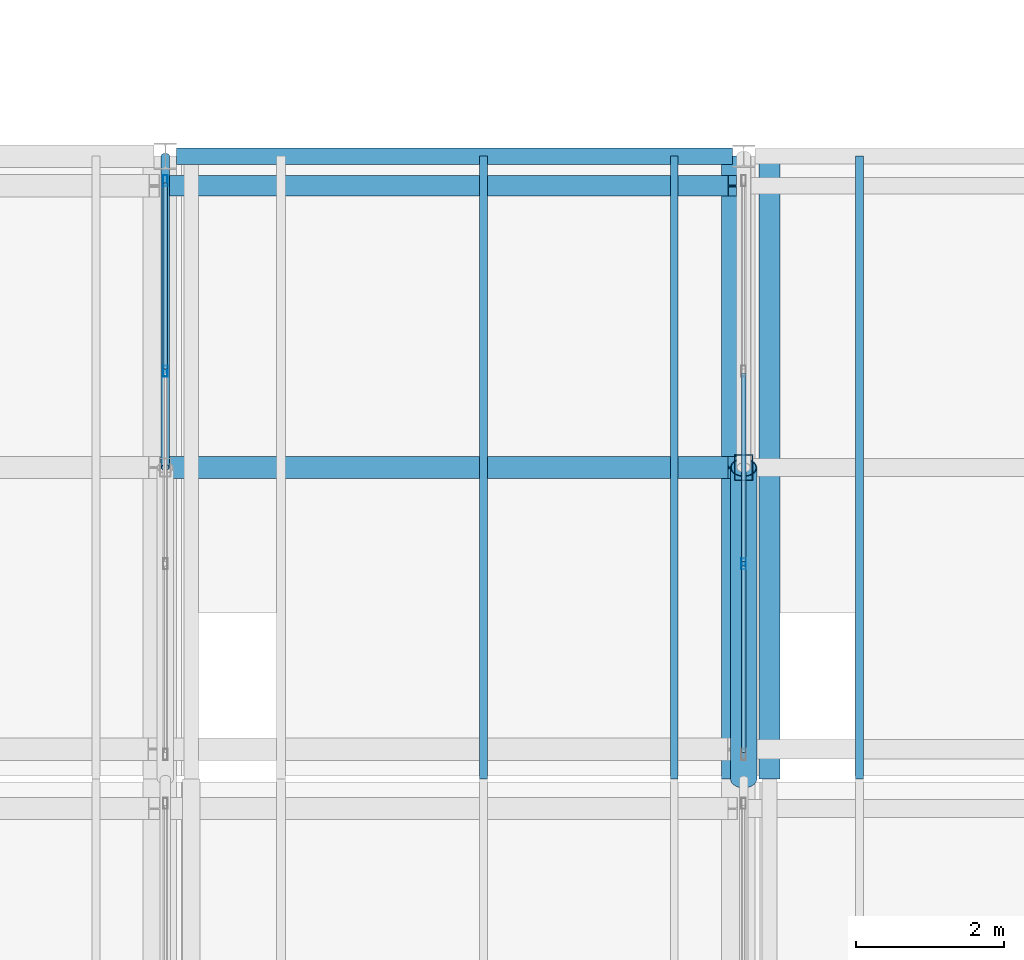
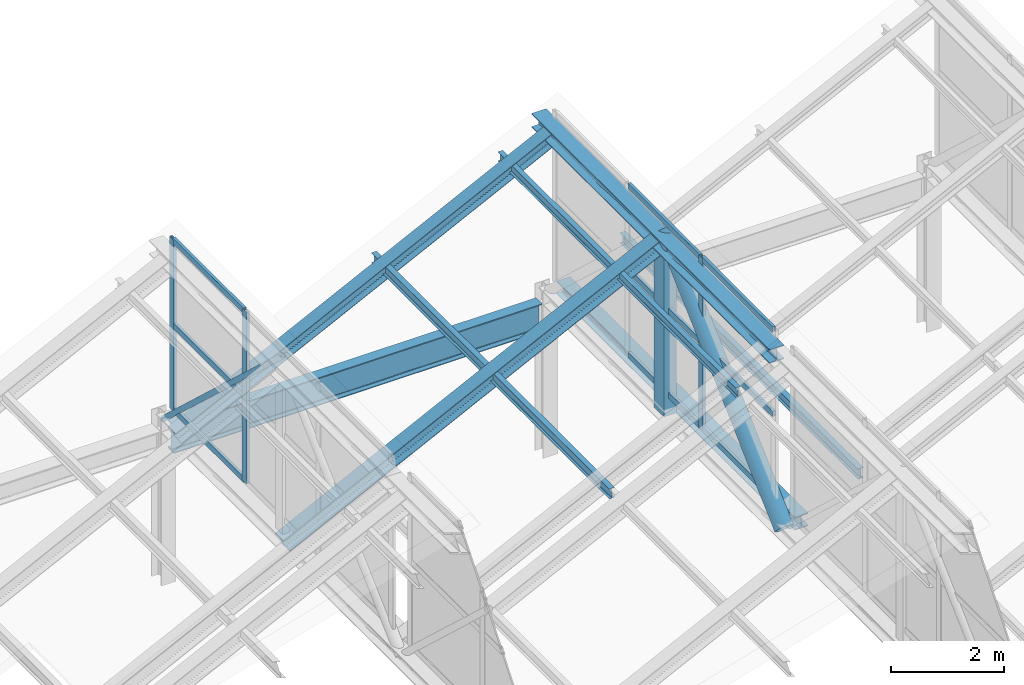
# One storey, part 24 of 101: 22 members, 1 beam, 2 elements without a shape of their own.
"""IFC4 building model written with IfcOpenShell, lengths in metres."""

from ifc_helpers import new_model, si_unit, direction, frame, origin, origin_2d, place, context, subcontext, project, spatial, hollow_rectangle, hollow_circle, i_section, extrude, material, layer, layer_set, material_profile, profile_set, type_object, element, aggregate, save


model = new_model("IFC4")

# Units and contexts
model_context = context("Model", 3, precision=1e-05, world=origin(), true_north=direction((0.0, 1.0)))
body_context = subcontext(model_context, "Body", "Model", "MODEL_VIEW")
ifc_project = project(units=[si_unit("LENGTHUNIT", "METRE"), si_unit("AREAUNIT", "SQUARE_METRE"), si_unit("VOLUMEUNIT", "CUBIC_METRE"), si_unit("PLANEANGLEUNIT", "RADIAN"), si_unit("MASSUNIT", "GRAM", prefix="KILO")], contexts=[model_context])

# Site, building, storey
site_placement = place(None, origin())
site = spatial("IfcSite", under=ifc_project, at=site_placement, CompositionType="ELEMENT")
building_placement = place(site_placement, origin())
building = spatial("IfcBuilding", under=site, at=building_placement, Name="Zizhar Promenade General Hospital", CompositionType="ELEMENT")
storey_placement = place(building_placement, frame((0.0, 0.0, 14.39990234375)))
storey = spatial("IfcBuildingStorey", under=building, at=storey_placement, Name="L03", CompositionType="ELEMENT", Elevation=14.39990234375)

# Beam
ifc_material_1 = material(Name="Steel S355", Category="steel")
ifc_material_profile_1 = material_profile(ifc_material_1, i_section(OverallWidth=0.219970703125, OverallDepth=0.60009765625, WebThickness=0.011962890625, FlangeThickness=0.01904296875, FilletRadius=0.02392578125, at=origin_2d()))
ifc_profile_set_1 = profile_set([ifc_material_profile_1], Name="Steel S355")
beam_type = type_object("IfcBeamType", Name="BM-STL-IPE600", PredefinedType="BEAM", material=ifc_profile_set_1)
beam_placement = place(storey_placement, frame((78.14990234375, 50.39990234375, 3.010009765625), z_axis=(1.0, 0.0, 0.0), x_axis=(0.0, 1.0, 0.0)))
element("IfcBeam", 1, at=beam_placement, inside=storey, type_object=beam_type, Name="Grid Beam X L03 (10-6)", PredefinedType="BEAM", context=body_context, shape_type="SweptSolid", body=[
    extrude(i_section(OverallWidth=0.219970703125, OverallDepth=0.60009765625, WebThickness=0.011962890625, FlangeThickness=0.01904296875, FilletRadius=0.02392578125, at=origin_2d()), origin(), (0.0, 0.0, 1.0), 7.5),
])

# Curtain wall, members
ifc_material_2 = material(Name="Anodised aluminium 6063-T6 and low-E glass", Category="aluminium")
ifc_layer = layer(ifc_material_2, 0.159912109375)
ifc_layer_set = layer_set([ifc_layer], Name="Anodised aluminium 6063-T6 and low-E glass")
curtain_wall_type = type_object("IfcCurtainWallType", Name="CW-SAW-NL3", PredefinedType="NOTDEFINED", material=ifc_layer_set)
curtain_wall_1_placement = place(storey_placement, origin())
curtain_wall_1 = element("IfcCurtainWall", 2, at=curtain_wall_1_placement, inside=storey, type_object=curtain_wall_type, Name="Sawtooth Clerestory Light B1-S3", PredefinedType="NOTDEFINED")
ifc_material_3 = material(Name="Anodised aluminium 6063-T6", Category="aluminium")
ifc_material_profile_2 = material_profile(ifc_material_3, hollow_rectangle(XDim=0.06005859375, YDim=0.14990234375, WallThickness=0.00390625, at=origin_2d()))
ifc_profile_set_2 = profile_set([ifc_material_profile_2], Name="Anodised aluminium 6063-T6")
member_type_1 = type_object("IfcMemberType", Name="CWM-ALU-150x60", PredefinedType="MULLION", material=ifc_profile_set_2)
member_1_placement = place(storey_placement, frame((78.0, 47.5, 3.85009765625), z_axis=(0.0, 0.0, 1.0), x_axis=(-1.0, 0.0, 0.0)))
member_1 = element("IfcMember", 3, at=member_1_placement, type_object=member_type_1, Name="CW-05 mullion 3", PredefinedType="MULLION", context=body_context, shape_type="SweptSolid", body=[
    extrude(hollow_rectangle(XDim=0.06005859375, YDim=0.14990234375, WallThickness=0.00390625, at=origin_2d()), origin(), (0.0, 0.0, 1.0), 3.699951171875),
])
member_2_placement = place(storey_placement, frame((78.0, 50.070068359375, 3.85009765625), z_axis=(0.0, 0.0, 1.0), x_axis=(-1.0, 0.0, 0.0)))
member_2 = element("IfcMember", 4, at=member_2_placement, type_object=member_type_1, Name="CW-05 mullion 4", PredefinedType="MULLION", context=body_context, shape_type="SweptSolid", body=[
    extrude(hollow_rectangle(XDim=0.06005859375, YDim=0.14990234375, WallThickness=0.00390625, at=origin_2d()), origin(), (0.0, 0.0, 1.0), 3.699951171875),
])

# Curtain wall, member
curtain_wall_2_placement = place(storey_placement, origin())
curtain_wall_2 = element("IfcCurtainWall", 5, at=curtain_wall_2_placement, inside=storey, type_object=curtain_wall_type, Name="Sawtooth Clerestory Light B2-S3", PredefinedType="NOTDEFINED")
member_3_placement = place(storey_placement, frame((85.800048828125, 44.89990234375, 3.85009765625), z_axis=(0.0, 0.0, 1.0), x_axis=(-1.0, 0.0, 0.0)))
member_3 = element("IfcMember", 6, at=member_3_placement, type_object=member_type_1, Name="CW-05 mullion 2", PredefinedType="MULLION", context=body_context, shape_type="SweptSolid", body=[
    extrude(hollow_rectangle(XDim=0.06005859375, YDim=0.14990234375, WallThickness=0.00390625, at=origin_2d()), origin(), (0.0, 0.0, 1.0), 3.699951171875),
])

# Member
ifc_material_4 = material(Name="Anodised aluminium 6063-T6", Category="aluminium")
ifc_material_profile_3 = material_profile(ifc_material_4, hollow_rectangle(XDim=0.06005859375, YDim=0.1201171875, WallThickness=0.00390625, at=origin_2d()))
ifc_profile_set_3 = profile_set([ifc_material_profile_3], Name="Anodised aluminium 6063-T6")
member_type_2 = type_object("IfcMemberType", Name="CWT-ALU-120x60", PredefinedType="USERDEFINED", material=ifc_profile_set_3)
member_4_placement = place(storey_placement, frame((78.0, 47.530029296875, 3.880126953125), z_axis=(0.0, 1.0, 0.0), x_axis=(-1.0, 0.0, 0.0)))
member_4 = element("IfcMember", 7, at=member_4_placement, type_object=member_type_2, Name="CW-05 transom 3.1", ObjectType="TRANSOM", PredefinedType="USERDEFINED", context=body_context, shape_type="SweptSolid", body=[
    extrude(hollow_rectangle(XDim=0.06005859375, YDim=0.1201171875, WallThickness=0.00390625, at=origin_2d()), origin(), (0.0, 0.0, 1.0), 2.510009765625),
])

member_5_placement = place(storey_placement, frame((78.0, 47.530029296875, 5.7001953125), z_axis=(0.0, 1.0, 0.0), x_axis=(-1.0, 0.0, 0.0)))
member_5 = element("IfcMember", 8, at=member_5_placement, type_object=member_type_2, Name="CW-05 transom 3.2", ObjectType="TRANSOM", PredefinedType="USERDEFINED", context=body_context, shape_type="SweptSolid", body=[
    extrude(hollow_rectangle(XDim=0.06005859375, YDim=0.1201171875, WallThickness=0.00390625, at=origin_2d()), origin(), (0.0, 0.0, 1.0), 2.510009765625),
])

member_6_placement = place(storey_placement, frame((78.0, 47.530029296875, 7.52001953125), z_axis=(0.0, 1.0, 0.0), x_axis=(-1.0, 0.0, 0.0)))
member_6 = element("IfcMember", 9, at=member_6_placement, type_object=member_type_2, Name="CW-05 transom 3.3", ObjectType="TRANSOM", PredefinedType="USERDEFINED", context=body_context, shape_type="SweptSolid", body=[
    extrude(hollow_rectangle(XDim=0.06005859375, YDim=0.1201171875, WallThickness=0.00390625, at=origin_2d()), origin(), (0.0, 0.0, 1.0), 2.510009765625),
])

aggregate(curtain_wall_1, [member_1, member_2, member_4, member_5, member_6])

member_7_placement = place(storey_placement, frame((85.800048828125, 42.360107421875, 3.880126953125), z_axis=(0.0, 1.0, 0.0), x_axis=(-1.0, 0.0, 0.0)))
member_7 = element("IfcMember", 10, at=member_7_placement, type_object=member_type_2, Name="CW-05 transom 1.1", ObjectType="TRANSOM", PredefinedType="USERDEFINED", context=body_context, shape_type="SweptSolid", body=[
    extrude(hollow_rectangle(XDim=0.06005859375, YDim=0.1201171875, WallThickness=0.00390625, at=origin_2d()), origin(), (0.0, 0.0, 1.0), 2.510009765625),
])

member_8_placement = place(storey_placement, frame((85.800048828125, 42.360107421875, 5.7001953125), z_axis=(0.0, 1.0, 0.0), x_axis=(-1.0, 0.0, 0.0)))
member_8 = element("IfcMember", 11, at=member_8_placement, type_object=member_type_2, Name="CW-05 transom 1.2", ObjectType="TRANSOM", PredefinedType="USERDEFINED", context=body_context, shape_type="SweptSolid", body=[
    extrude(hollow_rectangle(XDim=0.06005859375, YDim=0.1201171875, WallThickness=0.00390625, at=origin_2d()), origin(), (0.0, 0.0, 1.0), 2.510009765625),
])

member_9_placement = place(storey_placement, frame((85.800048828125, 42.360107421875, 7.52001953125), z_axis=(0.0, 1.0, 0.0), x_axis=(-1.0, 0.0, 0.0)))
member_9 = element("IfcMember", 12, at=member_9_placement, type_object=member_type_2, Name="CW-05 transom 1.3", ObjectType="TRANSOM", PredefinedType="USERDEFINED", context=body_context, shape_type="SweptSolid", body=[
    extrude(hollow_rectangle(XDim=0.06005859375, YDim=0.1201171875, WallThickness=0.00390625, at=origin_2d()), origin(), (0.0, 0.0, 1.0), 2.510009765625),
])

member_10_placement = place(storey_placement, frame((85.800048828125, 44.929931640625, 3.880126953125), z_axis=(0.0, 1.0, 0.0), x_axis=(-1.0, 0.0, 0.0)))
member_10 = element("IfcMember", 13, at=member_10_placement, type_object=member_type_2, Name="CW-05 transom 2.1", ObjectType="TRANSOM", PredefinedType="USERDEFINED", context=body_context, shape_type="SweptSolid", body=[
    extrude(hollow_rectangle(XDim=0.06005859375, YDim=0.1201171875, WallThickness=0.00390625, at=origin_2d()), origin(), (0.0, 0.0, 1.0), 2.5400390625),
])

member_11_placement = place(storey_placement, frame((85.800048828125, 44.929931640625, 5.7001953125), z_axis=(0.0, 1.0, 0.0), x_axis=(-1.0, 0.0, 0.0)))
member_11 = element("IfcMember", 14, at=member_11_placement, type_object=member_type_2, Name="CW-05 transom 2.2", ObjectType="TRANSOM", PredefinedType="USERDEFINED", context=body_context, shape_type="SweptSolid", body=[
    extrude(hollow_rectangle(XDim=0.06005859375, YDim=0.1201171875, WallThickness=0.00390625, at=origin_2d()), origin(), (0.0, 0.0, 1.0), 2.5400390625),
])

member_12_placement = place(storey_placement, frame((85.800048828125, 44.929931640625, 7.52001953125), z_axis=(0.0, 1.0, 0.0), x_axis=(-1.0, 0.0, 0.0)))
member_12 = element("IfcMember", 15, at=member_12_placement, type_object=member_type_2, Name="CW-05 transom 2.3", ObjectType="TRANSOM", PredefinedType="USERDEFINED", context=body_context, shape_type="SweptSolid", body=[
    extrude(hollow_rectangle(XDim=0.06005859375, YDim=0.1201171875, WallThickness=0.00390625, at=origin_2d()), origin(), (0.0, 0.0, 1.0), 2.5400390625),
])

aggregate(curtain_wall_2, [member_3, member_7, member_8, member_9, member_10, member_11, member_12])

# Members
ifc_material_5 = material(Name="Steel S355", Category="steel")
ifc_material_profile_4 = material_profile(ifc_material_5, hollow_circle(Radius=0.05712890625, WallThickness=0.00634765625, at=origin_2d()))
ifc_profile_set_4 = profile_set([ifc_material_profile_4], Name="Steel S355")
member_type_3 = type_object("IfcMemberType", Name="MEM-BRACE-CHS114", PredefinedType="BRACE", material=ifc_profile_set_4)
member_13_placement = place(storey_placement, frame((78.0, 50.39990234375, 3.4501953125), z_axis=(0.0, -0.732798043082, 0.680446197767), x_axis=(1.0, 0.0, 0.0)))
element("IfcMember", 16, at=member_13_placement, inside=storey, type_object=member_type_3, Name="Sawtooth Truss Frame 2 Diagonal B3", PredefinedType="BRACE", context=body_context, shape_type="SweptSolid", body=[
    extrude(hollow_circle(Radius=0.05712890625, WallThickness=0.00634765625, at=origin_2d()), origin(), (0.0, 0.0, 1.0), 5.7314453125),
])
ifc_material_6 = material(Name="Steel S355", Category="steel")
ifc_material_profile_5 = material_profile(ifc_material_6, i_section(OverallWidth=0.280029296875, OverallDepth=0.280029296875, WebThickness=0.010498046875, FlangeThickness=0.01806640625, FilletRadius=0.02392578125, at=origin_2d()))
ifc_profile_set_5 = profile_set([ifc_material_profile_5], Name="Steel S355")
member_type_4 = type_object("IfcMemberType", Name="MEM-CHORD-HEB280", PredefinedType="CHORD", material=ifc_profile_set_5)
member_14_placement = place(storey_placement, frame((86.14990234375, 42.0, 3.47021484375), z_axis=(0.0, 1.0, 0.0), x_axis=(-1.0, 0.0, 0.0)))
element("IfcMember", 17, at=member_14_placement, inside=storey, type_object=member_type_4, Name="Sawtooth Bay 3 Valley Tie 3", PredefinedType="CHORD", context=body_context, shape_type="SweptSolid", body=[
    extrude(i_section(OverallWidth=0.280029296875, OverallDepth=0.280029296875, WebThickness=0.010498046875, FlangeThickness=0.01806640625, FilletRadius=0.02392578125, at=origin_2d()), origin(), (0.0, 0.0, 1.0), 8.39990234375),
])
ifc_material_7 = material(Name="Steel S355", Category="steel")
ifc_material_profile_6 = material_profile(ifc_material_7, i_section(OverallWidth=0.300048828125, OverallDepth=0.300048828125, WebThickness=0.010986328125, FlangeThickness=0.01904296875, FilletRadius=0.027099609375, at=origin_2d()))
ifc_profile_set_6 = profile_set([ifc_material_profile_6], Name="Steel S355")
member_type_5 = type_object("IfcMemberType", Name="MEM-CHORD-HEB300", PredefinedType="CHORD", material=ifc_profile_set_6)
member_15_placement = place(storey_placement, frame((85.64990234375, 42.0, 7.25), z_axis=(0.0, 1.0, 0.0), x_axis=(-1.0, 0.0, 0.0)))
element("IfcMember", 18, at=member_15_placement, inside=storey, type_object=member_type_5, Name="Sawtooth Bay 2 Ridge Chord 3", PredefinedType="CHORD", context=body_context, shape_type="SweptSolid", body=[
    extrude(i_section(OverallWidth=0.300048828125, OverallDepth=0.300048828125, WebThickness=0.010986328125, FlangeThickness=0.01904296875, FilletRadius=0.027099609375, at=origin_2d()), origin(), (0.0, 0.0, 1.0), 8.39990234375),
])
ifc_material_8 = material(Name="Steel S355", Category="steel")
ifc_material_profile_7 = material_profile(ifc_material_8, hollow_circle(Radius=0.177734375, WallThickness=0.012451171875, at=origin_2d()))
ifc_profile_set_7 = profile_set([ifc_material_profile_7], Name="Steel S355")
member_type_6 = type_object("IfcMemberType", Name="MEM-DIAG-CHS356", PredefinedType="BRACE", material=ifc_profile_set_7)
member_16_placement = place(storey_placement, frame((85.800048828125, 42.0, 3.4501953125), z_axis=(0.0, 0.732798043082, 0.680446197767), x_axis=(-1.0, 0.0, 0.0)))
element("IfcMember", 19, at=member_16_placement, inside=storey, type_object=member_type_6, Name="Sawtooth Truss Frame 3 Diagonal A3", PredefinedType="BRACE", context=body_context, shape_type="SweptSolid", body=[
    extrude(hollow_circle(Radius=0.177734375, WallThickness=0.012451171875, at=origin_2d()), origin(), (0.0, 0.0, 1.0), 5.7314453125),
])
ifc_material_9 = material(Name="Steel S355", Category="steel")
ifc_material_profile_8 = material_profile(ifc_material_9, i_section(OverallWidth=0.10009765625, OverallDepth=0.199951171875, WebThickness=0.005615234375, FlangeThickness=0.008544921875, FilletRadius=0.011962890625, at=origin_2d()))
ifc_profile_set_8 = profile_set([ifc_material_profile_8], Name="Steel S355")
member_type_7 = type_object("IfcMemberType", Name="MEM-PURL-IPE200", PredefinedType="PURLIN", material=ifc_profile_set_8)
member_17_placement = place(storey_placement, frame((84.864013671875, 42.0, 6.715087890625), z_axis=(0.0, 1.0, 0.0), x_axis=(-1.0, 0.0, 0.0)))
element("IfcMember", 20, at=member_17_placement, inside=storey, type_object=member_type_7, Name="Sawtooth Bay 2 Purlin 3-3", PredefinedType="PURLIN", context=body_context, shape_type="SweptSolid", body=[
    extrude(i_section(OverallWidth=0.10009765625, OverallDepth=0.199951171875, WebThickness=0.005615234375, FlangeThickness=0.008544921875, FilletRadius=0.011962890625, at=origin_2d()), origin(), (0.0, 0.0, 1.0), 8.39990234375),
])
ifc_material_10 = material(Name="Steel S355", Category="steel")
ifc_material_profile_9 = material_profile(ifc_material_10, i_section(OverallWidth=0.110107421875, OverallDepth=0.219970703125, WebThickness=0.005859375, FlangeThickness=0.00927734375, FilletRadius=0.011962890625, at=origin_2d()))
ifc_profile_set_9 = profile_set([ifc_material_profile_9], Name="Steel S355")
member_type_8 = type_object("IfcMemberType", Name="MEM-PURL-IPE220", PredefinedType="PURLIN", material=ifc_profile_set_9)
for number, where, z_axis, x_axis, name in (
    (21, (82.2900390625, 42.0, 5.4345703125), (0.0, 1.0, 0.0), (-1.0, 0.0, 0.0), "Sawtooth Bay 2 Purlin 3-2"),
    (22, (87.360107421875, 42.0, 4.087158203125), (0.0, 1.0, 0.0), (-1.0, 0.0, 0.0), "Sawtooth Bay 3 Purlin 3-1"),
):
    element("IfcMember", number, at=place(storey_placement, frame(where, z_axis=z_axis, x_axis=x_axis)), inside=storey, type_object=member_type_8, Name=name, PredefinedType="PURLIN", context=body_context, shape_type="SweptSolid", body=[
        extrude(i_section(OverallWidth=0.110107421875, OverallDepth=0.219970703125, WebThickness=0.005859375, FlangeThickness=0.00927734375, FilletRadius=0.011962890625, at=origin_2d()), origin(), (0.0, 0.0, 1.0), 8.39990234375),
    ])
ifc_material_11 = material(Name="Steel S355", Category="steel")
ifc_material_profile_10 = material_profile(ifc_material_11, i_section(OverallWidth=0.280029296875, OverallDepth=0.27001953125, WebThickness=0.008056640625, FlangeThickness=0.012939453125, FilletRadius=0.02392578125, at=origin_2d()))
ifc_profile_set_10 = profile_set([ifc_material_profile_10], Name="Steel S355")
member_type_9 = type_object("IfcMemberType", Name="MEM-RAFT-HEA280", PredefinedType="RAFTER", material=ifc_profile_set_10)
member_18_placement = place(storey_placement, frame((78.0, 50.0, 3.3427734375), z_axis=(0.896716239757, 0.0, 0.442605902983), x_axis=(0.0, 1.0, 0.0)))
element("IfcMember", 23, at=member_18_placement, inside=storey, type_object=member_type_9, Name="Sawtooth Bay 2 Rafter 3-3", PredefinedType="RAFTER", context=body_context, shape_type="SweptSolid", body=[
    extrude(i_section(OverallWidth=0.280029296875, OverallDepth=0.27001953125, WebThickness=0.008056640625, FlangeThickness=0.012939453125, FilletRadius=0.02392578125, at=origin_2d()), origin(), (0.0, 0.0, 1.0), 8.531005859375),
])
ifc_material_12 = material(Name="Steel S355", Category="steel")
ifc_material_profile_11 = material_profile(ifc_material_12, i_section(OverallWidth=0.300048828125, OverallDepth=0.2900390625, WebThickness=0.008544921875, FlangeThickness=0.013916015625, FilletRadius=0.027099609375, at=origin_2d()))
ifc_profile_set_11 = profile_set([ifc_material_profile_11], Name="Steel S355")
member_type_10 = type_object("IfcMemberType", Name="MEM-RAFT-HEA300", PredefinedType="RAFTER", material=ifc_profile_set_11)
member_19_placement = place(storey_placement, frame((78.0, 46.199951171875, 3.33154296875), z_axis=(0.896716239757, 0.0, 0.442605902983), x_axis=(0.0, 1.0, 0.0)))
element("IfcMember", 24, at=member_19_placement, inside=storey, type_object=member_type_10, Name="Sawtooth Bay 2 Rafter 3-2", PredefinedType="RAFTER", context=body_context, shape_type="SweptSolid", body=[
    extrude(i_section(OverallWidth=0.300048828125, OverallDepth=0.2900390625, WebThickness=0.008544921875, FlangeThickness=0.013916015625, FilletRadius=0.027099609375, at=origin_2d()), origin(), (0.0, 0.0, 1.0), 8.531005859375),
])
ifc_material_13 = material(Name="Steel S355", Category="steel")
ifc_material_profile_12 = material_profile(ifc_material_13, hollow_rectangle(XDim=0.25, YDim=0.35009765625, WallThickness=0.010009765625, at=origin_2d()))
ifc_profile_set_12 = profile_set([ifc_material_profile_12], Name="Steel S355")
member_type_11 = type_object("IfcMemberType", Name="MEM-STRUT-RHS350", PredefinedType="STRUT", material=ifc_profile_set_12)
member_20_placement = place(storey_placement, frame((85.800048828125, 46.199951171875, 3.4501953125), z_axis=(0.0, 0.0, 1.0), x_axis=(1.0, 0.0, 0.0)))
element("IfcMember", 25, at=member_20_placement, inside=storey, type_object=member_type_11, Name="Sawtooth Truss Frame 3 Vertical Post 3", PredefinedType="STRUT", context=body_context, shape_type="SweptSolid", body=[
    extrude(hollow_rectangle(XDim=0.25, YDim=0.35009765625, WallThickness=0.010009765625, at=origin_2d()), origin(), (0.0, 0.0, 1.0), 3.89990234375),
])

save(model, "model.ifc")
